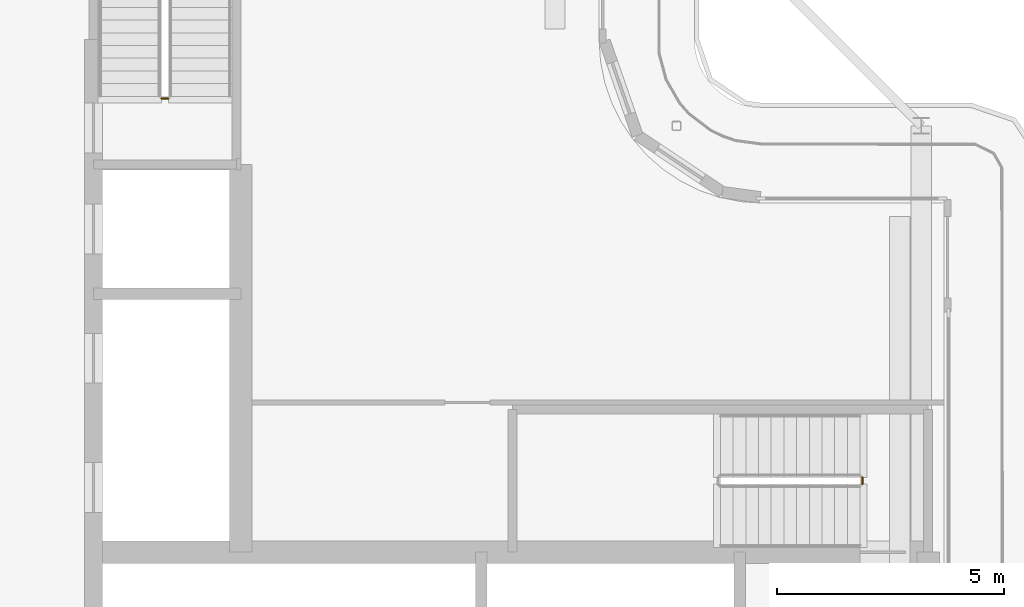
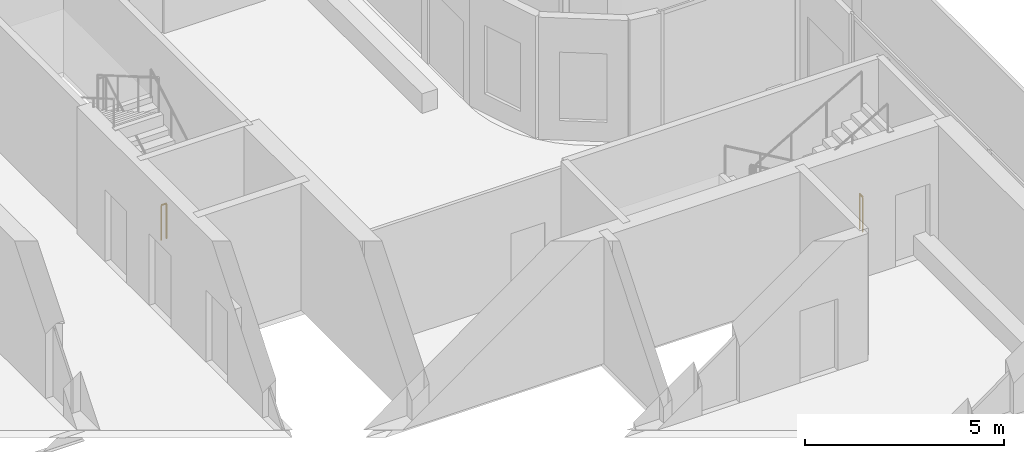
# One storey, part 14 of 19: 2 railings.
"""IFC4 building model written with IfcOpenShell, lengths in metres."""

from ifc_helpers import new_model, si_unit, direction, frame, origin, origin_2d, place, context, subcontext, project, spatial, circle, extrude, material, type_object, element, save


model = new_model("IFC4")

# Units and contexts
model_context = context("Model", 3, precision=1e-05, world=origin(), true_north=direction((0.0, 1.0)))
body_context = subcontext(model_context, "Body", "Model", "MODEL_VIEW")
ifc_project = project(units=[si_unit("LENGTHUNIT", "METRE"), si_unit("AREAUNIT", "SQUARE_METRE"), si_unit("VOLUMEUNIT", "CUBIC_METRE"), si_unit("PLANEANGLEUNIT", "RADIAN"), si_unit("MASSUNIT", "GRAM", prefix="KILO")], contexts=[model_context])

# Site, building, storey
site_placement = place(None, origin())
site = spatial("IfcSite", under=ifc_project, at=site_placement, CompositionType="ELEMENT")
building_placement = place(site_placement, origin())
building = spatial("IfcBuilding", under=site, at=building_placement, Name="Kheshtan School and Residences Tower", CompositionType="ELEMENT")
storey_placement = place(building_placement, frame((0.0, 0.0, 353.89990234375)))
storey = spatial("IfcBuildingStorey", under=building, at=storey_placement, Name="L83", CompositionType="ELEMENT", Elevation=353.89990234375)

# Railings
ifc_material = material(Name="Stainless steel balustrade", Category="steel")
railing_type = type_object("IfcRailingType", Name="Stair guard 1100", PredefinedType="GUARDRAIL", material=ifc_material)
railing_1_placement = place(storey_placement, frame((51.699951171875, 37.85009765625, 0.0)))
element("IfcRailing", 1, at=railing_1_placement, inside=storey, type_object=railing_type, Name="L83 ST1 stair guard 2", PredefinedType="GUARDRAIL", context=body_context, shape_type="SweptSolid", body=[
    extrude(circle(Radius=0.02392578125, at=origin_2d()), frame((0.0, 0.0, 1.076171875), z_axis=(0.0, -1.0, 0.0), x_axis=(1.0, 0.0, 0.0)), (0.0, 0.0, 1.0), 0.150146484375),
    extrude(circle(Radius=0.02099609375, at=origin_2d()), origin(), (0.0, 0.0, 1.0), 1.052001953125),
    extrude(circle(Radius=0.02099609375, at=origin_2d()), frame((0.0, -0.150146484375, 0.0)), (0.0, 0.0, 1.0), 1.052001953125),
])
railing_2_placement = place(storey_placement, frame((36.39990234375, 46.199951171875, 0.0)))
element("IfcRailing", 2, at=railing_2_placement, inside=storey, type_object=railing_type, Name="L83 ST2 stair guard 2", PredefinedType="GUARDRAIL", context=body_context, shape_type="SweptSolid", body=[
    extrude(circle(Radius=0.02392578125, at=origin_2d()), frame((0.0, 0.0, 1.076171875), z_axis=(-1.0, 0.0, 0.0), x_axis=(0.0, -1.0, 0.0)), (0.0, 0.0, 1.0), 0.14990234375),
    extrude(circle(Radius=0.02099609375, at=origin_2d()), origin(), (0.0, 0.0, 1.0), 1.052001953125),
    extrude(circle(Radius=0.02099609375, at=origin_2d()), frame((-0.14990234375, 0.0, 0.0)), (0.0, 0.0, 1.0), 1.052001953125),
])

save(model, "model.ifc")
